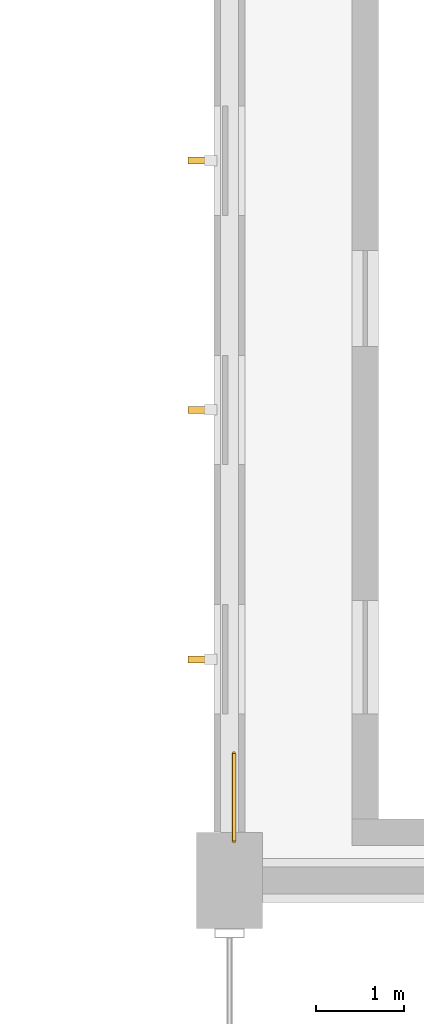
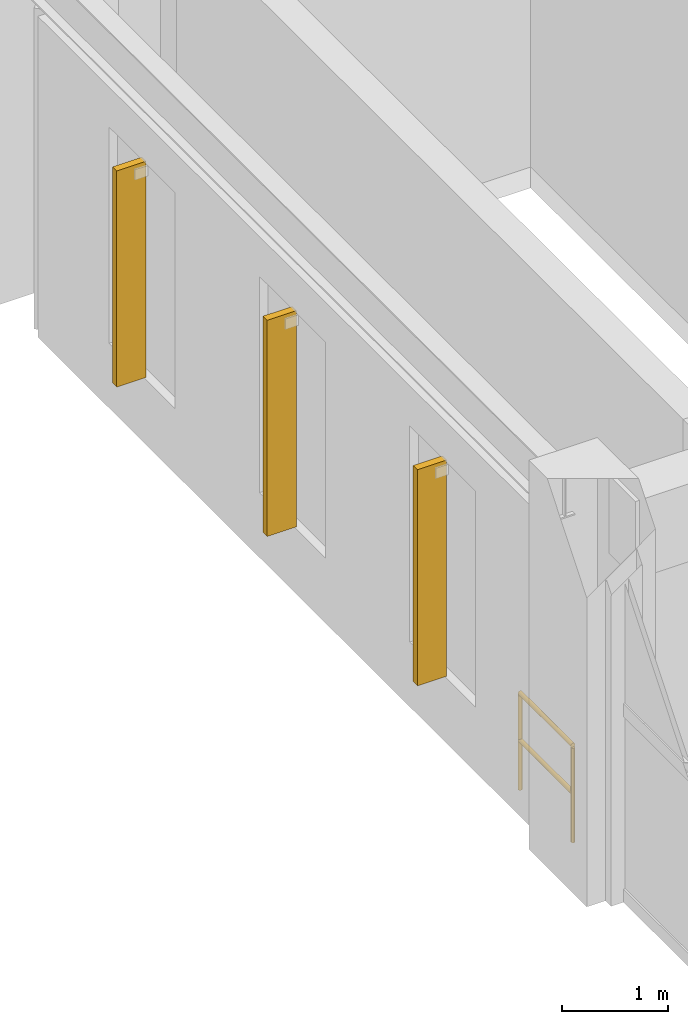
# One storey, part 79 of 80: 3 shading devices, 1 railing.
"""IFC4 building model written with IfcOpenShell, lengths in metres."""

from ifc_helpers import new_model, si_unit, direction, frame, origin, origin_2d, place, context, subcontext, project, spatial, rectangle, circle, extrude, material, layer, layer_set, type_object, element, save


model = new_model("IFC4")

# Units and contexts
model_context = context("Model", 3, precision=1e-05, world=origin(), true_north=direction((0.0, 1.0)))
body_context = subcontext(model_context, "Body", "Model", "MODEL_VIEW")
ifc_project = project(units=[si_unit("LENGTHUNIT", "METRE"), si_unit("AREAUNIT", "SQUARE_METRE"), si_unit("VOLUMEUNIT", "CUBIC_METRE"), si_unit("PLANEANGLEUNIT", "RADIAN"), si_unit("MASSUNIT", "GRAM", prefix="KILO"), si_unit("POWERUNIT", "WATT"), si_unit("THERMODYNAMICTEMPERATUREUNIT", "KELVIN")], contexts=[model_context])

# Site, building, storey
site_placement = place(None, origin())
site = spatial("IfcSite", under=ifc_project, at=site_placement, CompositionType="ELEMENT")
building_placement = place(site_placement, origin())
building = spatial("IfcBuilding", under=site, at=building_placement, Name="Kelmbourne Parkland Aquatics Centre", CompositionType="ELEMENT")
storey_placement = place(building_placement, frame((0.0, 0.0, 10.199951171875)))
storey = spatial("IfcBuildingStorey", under=building, at=storey_placement, Name="L02", CompositionType="ELEMENT", Elevation=10.199951171875)

# Railing
ifc_material_1 = material(Name="Grade 316 stainless steel and laminated glass balustrade", Category="glass")
ifc_layer = layer(ifc_material_1, 0.06005859375)
ifc_layer_set = layer_set([ifc_layer], Name="Grade 316 stainless steel and laminated glass balustrade")
railing_type = type_object("IfcRailingType", Name="RL-BL-114", PredefinedType="BALUSTRADE", material=ifc_layer_set)
railing_placement = place(storey_placement, frame((128.050048828125, 103.85009765625, 0.0)))
element("IfcRailing", 1, at=railing_placement, inside=storey, type_object=railing_type, Name="Safety balustrade BAL-JCT-2", PredefinedType="BALUSTRADE", context=body_context, shape_type="SweptSolid", body=[
    extrude(circle(Radius=0.02392578125, at=origin_2d()), frame((0.0, 0.0, 1.11572265625), z_axis=(0.0, 1.0, 0.0), x_axis=(-1.0, 0.0, 0.0)), (0.0, 0.0, 1.0), 1.0),
    extrude(circle(Radius=0.02392578125, at=origin_2d()), frame((0.0, 0.0, 0.56982421875), z_axis=(0.0, 1.0, 0.0), x_axis=(-1.0, 0.0, 0.0)), (0.0, 0.0, 1.0), 1.0),
    extrude(circle(Radius=0.02099609375, at=origin_2d()), origin(), (0.0, 0.0, 1.0), 1.091796875),
    extrude(circle(Radius=0.02099609375, at=origin_2d()), frame((0.0, 1.0, 0.0)), (0.0, 0.0, 1.0), 1.091796875),
])

# Shading devices
ifc_material_2 = material(Name="Architectural extruded terracotta baguettes", Category="masonry")
shading_device_type = type_object("IfcShadingDeviceType", Name="SHD-FIN-1", PredefinedType="USERDEFINED", material=ifc_material_2)
for number, where, z_axis, x_axis, name in (
    (2, (127.68505859375, 105.927001953125, 0.75), (0.0, 0.0, 1.0), (0.0, 1.0, 0.0), "Terracotta vertical solar fin 161"),
    (3, (127.68505859375, 108.77587890625, 0.75), (0.0, 0.0, 1.0), (0.0, 1.0, 0.0), "Terracotta vertical solar fin 162"),
    (4, (127.68505859375, 111.625, 0.75), (0.0, 0.0, 1.0), (0.0, 1.0, 0.0), "Terracotta vertical solar fin 163"),
):
    element("IfcShadingDevice", number, at=place(storey_placement, frame(where, z_axis=z_axis, x_axis=x_axis)), inside=storey, type_object=shading_device_type, Name=name, ObjectType="SOLAR FIN", PredefinedType="USERDEFINED", context=body_context, shape_type="SweptSolid", body=[
        extrude(rectangle(XDim=0.080078125, YDim=0.320068359375, at=origin_2d()), origin(), (0.0, 0.0, 1.0), 2.5),
    ])

save(model, "model.ifc")
